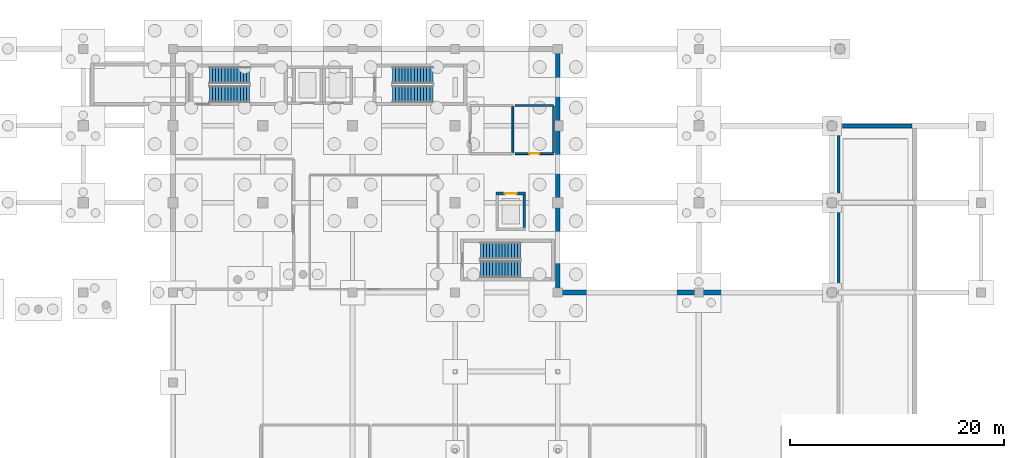
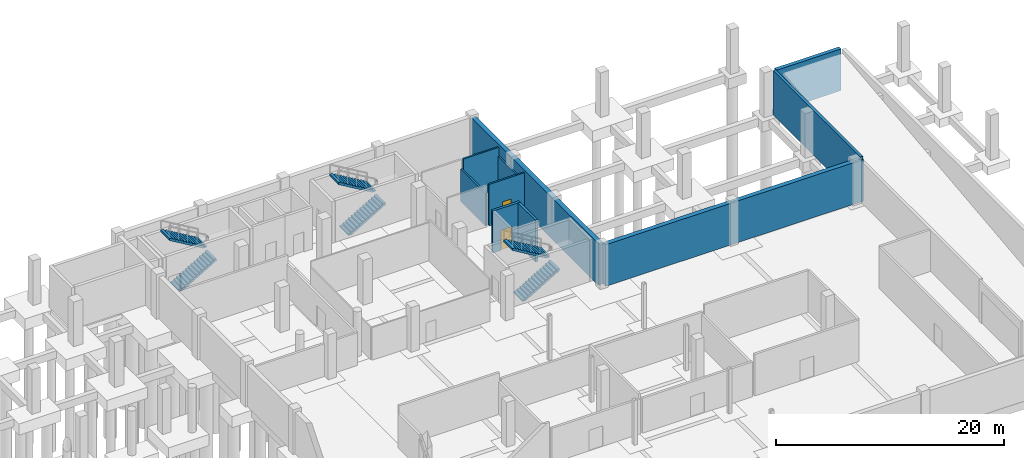
# One storey, part 38 of 44: 10 walls, 6 stair flights, 2 doors, 2 openings, 3 elements without a shape of their own.
"""IFC4 building model written with IfcOpenShell, lengths in metres."""

from ifc_helpers import new_model, si_unit, direction, frame, frame_2d, origin, place, context, subcontext, project, spatial, polyline, rectangle, outline, extrude, material, layer, layer_set, type_object, element, fill, aggregate, save


model = new_model("IFC4")

# Units and contexts
model_context = context("Model", 3, precision=1e-05, world=origin(), true_north=direction((0.0, 1.0)))
body_context = subcontext(model_context, "Body", "Model", "MODEL_VIEW")
ifc_project = project(units=[si_unit("LENGTHUNIT", "METRE"), si_unit("AREAUNIT", "SQUARE_METRE"), si_unit("VOLUMEUNIT", "CUBIC_METRE"), si_unit("PLANEANGLEUNIT", "RADIAN"), si_unit("MASSUNIT", "GRAM", prefix="KILO")], contexts=[model_context])

# Site, building, storey
site_placement = place(None, origin())
site = spatial("IfcSite", under=ifc_project, at=site_placement, CompositionType="ELEMENT")
building_placement = place(site_placement, origin())
building = spatial("IfcBuilding", under=site, at=building_placement, Name="Kisaragi Civic Commons", CompositionType="ELEMENT")
storey_placement = place(building_placement, frame((0.0, 0.0, -4.800048828125)))
storey = spatial("IfcBuildingStorey", under=building, at=storey_placement, Name="B1", CompositionType="ELEMENT", Elevation=-4.800048828125)

# Walls
ifc_material_1 = material(Name="Cementitious tile-backer board on galvanized steel studs", Category="steel")
ifc_layer_1 = layer(ifc_material_1, 0.16796875, Name="Cementitious tile-backer board on galvanized steel studs", Category="steel")
ifc_layer_set_1 = layer_set([ifc_layer_1], Name="Cementitious tile-backer board on galvanized steel studs")
wall_type_1 = type_object("IfcWallType", Name="IW-03", PredefinedType="STANDARD", material=ifc_layer_set_1)
for number, where, z_axis, x_axis, name in (
    (1, (129.0, 113.425048828125, 0.0), (0.0, 0.0, 1.0), (0.0, -1.0, 0.0), "B1 B1-05 partition IW-03 8"),
    (2, (132.800048828125, 113.425048828125, 0.0), (0.0, 0.0, 1.0), (0.0, -1.0, 0.0), "B1 B1-06 partition IW-03 12"),
):
    element("IfcWall", number, at=place(storey_placement, frame(where, z_axis=z_axis, x_axis=x_axis)), inside=storey, type_object=wall_type_1, Name=name, PredefinedType="STANDARD", context=body_context, shape_type="SweptSolid", body=[
        extrude(rectangle(XDim=4.35009765625, YDim=0.16796875, at=frame_2d((2.175048828125, 0.0))), origin(), (0.0, 0.0, 1.0), 3.5),
    ])

# Wall, opening, door
wall_1_placement = place(storey_placement, frame((132.794921875, 109.0, 0.0), z_axis=(0.0, 0.0, 1.0), x_axis=(-1.0, 0.0, 0.0)))
wall_1 = element("IfcWall", 3, at=wall_1_placement, inside=storey, type_object=wall_type_1, Name="B1 B1-06 partition IW-03 13", PredefinedType="STANDARD", context=body_context, shape_type="SweptSolid", body=[
    extrude(rectangle(XDim=3.58984375, YDim=0.16796875, at=frame_2d((1.794921875, 0.0))), origin(), (0.0, 0.0, 1.0), 4.449951171875),
])
opening_1_placement = place(wall_1_placement, frame((1.344970703125, 0.0, 0.0)))
opening_1 = element("IfcOpeningElement", 4, at=opening_1_placement, cuts=wall_1, Name="Opening ID-02", PredefinedType="OPENING", context=body_context, shape_type="SweptSolid", body=[
    extrude(rectangle(XDim=0.89990234375, YDim=2.10009765625, at=frame_2d((0.449951171875, 1.050048828125))), frame((0.0, 0.093994140625, 0.0), z_axis=(0.0, -1.0, 0.0), x_axis=(1.0, 0.0, 0.0)), (0.0, 0.0, 1.0), 0.18798828125),
])
ifc_material_2 = material(Name="Solid-core Japanese ash acoustic flush timber leaf in steel frame", Category="steel")
door_type_1 = type_object("IfcDoorType", Name="ID-02", OperationType="NOTDEFINED", PredefinedType="DOOR", material=ifc_material_2)
door_1_placement = place(opening_1_placement, origin())
door_1 = element("IfcDoor", 5, at=door_1_placement, inside=storey, type_object=door_type_1, Name="B1 Staff WC door ID-02", OperationType="SINGLE_SWING_LEFT", OverallHeight=2.10009765625, OverallWidth=0.89990234375, PredefinedType="DOOR", context=body_context, shape_type="SweptSolid", body=[
    extrude(rectangle(XDim=0.89990234375, YDim=2.10009765625, at=frame_2d((0.449951171875, 1.050048828125))), frame((0.0, 0.02490234375, 0.0), z_axis=(0.0, -1.0, 0.0), x_axis=(1.0, 0.0, 0.0)), (0.0, 0.0, 1.0), 0.050048828125),
])
fill(opening_1, door_1)

# Walls
wall_2_placement = place(storey_placement, frame((129.205078125, 113.5, 0.0), z_axis=(0.0, 0.0, 1.0), x_axis=(1.0, 0.0, 0.0)))
element("IfcWall", 6, at=wall_2_placement, inside=storey, type_object=wall_type_1, Name="B1 B1-06 partition IW-03 14", PredefinedType="STANDARD", context=body_context, shape_type="SweptSolid", body=[
    extrude(rectangle(XDim=3.58984375, YDim=0.16796875, at=frame_2d((1.794921875, 0.0))), origin(), (0.0, 0.0, 1.0), 4.449951171875),
])
ifc_material_3 = material(Name="Concrete Fc30", Category="concrete")
ifc_layer_2 = layer(ifc_material_3, 0.449951171875, Name="Concrete Fc30", Category="concrete")
ifc_layer_set_2 = layer_set([ifc_layer_2], Name="Concrete Fc30")
wall_type_2 = type_object("IfcWallType", Name="RW-01", PredefinedType="USERDEFINED", material=ifc_layer_set_2)
wall_3_placement = place(storey_placement, frame((133.199951171875, 118.56005859375, 0.0), z_axis=(0.0, 0.0, 1.0), x_axis=(0.0, -1.0, 0.0)))
element("IfcWall", 7, at=wall_3_placement, inside=storey, type_object=wall_type_2, Name="B1 retaining wall RW-01 2", ObjectType="RETAININGWALL", PredefinedType="USERDEFINED", context=body_context, shape_type="SweptSolid", body=[
    extrude(rectangle(XDim=22.320068359375, YDim=0.449951171875, at=frame_2d((11.16015625, 0.0))), origin(), (0.0, 0.0, 1.0), 4.469970703125),
])
wall_4_placement = place(storey_placement, frame((133.43994140625, 96.0, 0.0), z_axis=(0.0, 0.0, 1.0), x_axis=(1.0, 0.0, 0.0)))
element("IfcWall", 8, at=wall_4_placement, inside=storey, type_object=wall_type_2, Name="B1 retaining wall RW-01 3", ObjectType="RETAININGWALL", PredefinedType="USERDEFINED", context=body_context, shape_type="SweptSolid", body=[
    extrude(rectangle(XDim=26.16015625, YDim=0.449951171875, at=frame_2d((13.080078125, 0.0))), origin(), (0.0, 0.0, 1.0), 4.469970703125),
])
ifc_layer_3 = layer(ifc_material_3, 0.3798828125, Name="Concrete Fc30", Category="concrete")
ifc_layer_set_3 = layer_set([ifc_layer_3], Name="Concrete Fc30")
wall_type_3 = type_object("IfcWallType", Name="RW-02", PredefinedType="USERDEFINED", material=ifc_layer_set_3)
wall_5_placement = place(storey_placement, frame((159.840087890625, 111.60009765625, 0.0), z_axis=(0.0, 0.0, 1.0), x_axis=(1.0, 0.0, 0.0)))
element("IfcWall", 9, at=wall_5_placement, inside=storey, type_object=wall_type_3, Name="B1 retaining wall RW-02 5", ObjectType="RETAININGWALL", PredefinedType="USERDEFINED", context=body_context, shape_type="SweptSolid", body=[
    extrude(rectangle(XDim=6.52001953125, YDim=0.3798828125, at=frame_2d((3.260009765625, 0.0))), origin(), (0.0, 0.0, 1.0), 4.469970703125),
])

# Wall, opening, door
ifc_material_4 = material(Name="Concrete Fc36", Category="concrete")
ifc_layer_4 = layer(ifc_material_4, 0.25, Name="Concrete Fc36", Category="concrete")
ifc_layer_set_4 = layer_set([ifc_layer_4], Name="Concrete Fc36")
wall_type_4 = type_object("IfcWallType", Name="SW-02", PredefinedType="SHEAR", material=ifc_layer_set_4)
wall_6_placement = place(storey_placement, frame((127.39990234375, 105.27490234375, 0.0), z_axis=(0.0, 0.0, 1.0), x_axis=(1.0, 0.0, 0.0)))
wall_6 = element("IfcWall", 10, at=wall_6_placement, inside=storey, type_object=wall_type_4, Name="EL-L3 B1 north lift shaft wall", PredefinedType="SHEAR", context=body_context, shape_type="SweptSolid", body=[
    extrude(rectangle(XDim=2.800048828125, YDim=0.25, at=frame_2d((1.39990234375, 0.0))), origin(), (0.0, 0.0, 1.0), 4.5),
])
opening_2_placement = place(wall_6_placement, frame((0.85009765625, 0.0, 0.0)))
opening_2 = element("IfcOpeningElement", 11, at=opening_2_placement, cuts=wall_6, Name="Opening LD-01", PredefinedType="OPENING", context=body_context, shape_type="SweptSolid", body=[
    extrude(rectangle(XDim=1.10009765625, YDim=2.14990234375, at=frame_2d((0.550048828125, 1.074951171875))), frame((0.0, 0.135009765625, 0.0), z_axis=(0.0, -1.0, 0.0), x_axis=(1.0, 0.0, 0.0)), (0.0, 0.0, 1.0), 0.27001953125),
])
ifc_material_5 = material(Name="Brushed stainless steel bi-parting landing door", Category="steel")
door_type_2 = type_object("IfcDoorType", Name="LD-01", OperationType="NOTDEFINED", PredefinedType="DOOR", material=ifc_material_5)
door_2_placement = place(opening_2_placement, origin())
door_2 = element("IfcDoor", 12, at=door_2_placement, inside=storey, type_object=door_type_2, Name="EL-L3 B1 sliding lift landing door", OperationType="DOUBLE_DOOR_SLIDING", OverallHeight=2.14990234375, OverallWidth=1.10009765625, PredefinedType="DOOR", context=body_context, shape_type="SweptSolid", body=[
    extrude(rectangle(XDim=1.10009765625, YDim=2.14990234375, at=frame_2d((0.550048828125, 1.074951171875))), frame((0.0, 0.02490234375, 0.0), z_axis=(0.0, -1.0, 0.0), x_axis=(1.0, 0.0, 0.0)), (0.0, 0.0, 1.0), 0.050048828125),
])
fill(opening_2, door_2)

# Walls
wall_7_placement = place(storey_placement, frame((130.074951171875, 105.1298828125, 0.0), z_axis=(0.0, 0.0, 1.0), x_axis=(0.0, -1.0, 0.0)))
element("IfcWall", 13, at=wall_7_placement, inside=storey, type_object=wall_type_4, Name="EL-L3 B1 east lift shaft wall", PredefinedType="SHEAR", context=body_context, shape_type="SweptSolid", body=[
    extrude(rectangle(XDim=3.059814453125, YDim=0.25, at=frame_2d((1.52978515625, 0.0))), origin(), (0.0, 0.0, 1.0), 4.5),
])
ifc_layer_5 = layer(ifc_material_3, 0.280029296875, Name="Concrete Fc30", Category="concrete")
ifc_layer_set_5 = layer_set([ifc_layer_5], Name="Concrete Fc30")
wall_type_5 = type_object("IfcWallType", Name="SW-03", PredefinedType="SHEAR", material=ifc_layer_set_5)
wall_8_placement = place(storey_placement, frame((159.4599609375, 95.85009765625, 0.0), z_axis=(0.0, 0.0, 1.0), x_axis=(0.0, 1.0, 0.0)))
element("IfcWall", 14, at=wall_8_placement, inside=storey, type_object=wall_type_5, Name="B1 vehicle ramp north-west cheek shear wall", PredefinedType="SHEAR", context=body_context, shape_type="SweptSolid", body=[
    extrude(rectangle(XDim=15.2998046875, YDim=0.280029296875, at=frame_2d((7.64990234375, 0.0))), origin(), (0.0, 0.0, 1.0), 4.780029296875),
])

# Stair, stair flights
stair_type = type_object("IfcStairType", Name="ST-A", PredefinedType="HALF_TURN_STAIR", material=ifc_material_3)
stair_1_placement = place(storey_placement, origin())
stair_1 = element("IfcStair", 15, at=stair_1_placement, inside=storey, type_object=stair_type, Name="B1 Stair ST-L1", PredefinedType="HALF_TURN_STAIR")
stair_flight_type = type_object("IfcStairFlightType", Name="STF-A", PredefinedType="STRAIGHT", material=ifc_material_3)
stair_flight_1_placement = place(storey_placement, frame((100.60009765625, 114.574951171875, 0.0), z_axis=(0.0, 0.0, 1.0), x_axis=(1.0, 0.0, 0.0)))
stair_flight_1 = element("IfcStairFlight", 16, at=stair_flight_1_placement, type_object=stair_flight_type, Name="ST-L1 flight 1", NumberOfRisers=14, NumberOfTreads=13, PredefinedType="STRAIGHT", RiserHeight=0.171428571, TreadLength=0.29, context=body_context, shape_type="SweptSolid", body=[
    extrude(outline(polyline([(0.0, 0.0), (0.0, 0.17138671875), (0.2900390625, 0.17138671875), (0.2900390625, 0.3427734375), (0.580078125, 0.3427734375), (0.580078125, 0.514404296875), (0.8701171875, 0.514404296875), (0.8701171875, 0.685791015625), (1.159912109375, 0.685791015625), (1.159912109375, 0.857177734375), (1.449951171875, 0.857177734375), (1.449951171875, 1.028564453125), (1.739990234375, 1.028564453125), (1.739990234375, 1.199951171875), (2.030029296875, 1.199951171875), (2.030029296875, 1.371337890625), (2.320068359375, 1.371337890625), (2.320068359375, 1.54296875), (2.610107421875, 1.54296875), (2.610107421875, 1.71435546875), (2.89990234375, 1.71435546875), (2.89990234375, 1.8857421875), (3.18994140625, 1.8857421875), (3.18994140625, 2.05712890625), (3.47998046875, 2.05712890625), (3.47998046875, 2.228515625), (3.77001953125, 2.228515625), (3.77001953125, 2.39990234375), (3.77001953125, 2.01953125), (0.353515625, 0.0), (0.0, 0.0)])), frame((0.0, 0.77490234375, 0.0), z_axis=(0.0, -1.0, 0.0), x_axis=(1.0, 0.0, 0.0)), (0.0, 0.0, 1.0), 1.550048828125),
])
stair_flight_2_placement = place(storey_placement, frame((104.3701171875, 116.324951171875, 2.400146484375), z_axis=(0.0, 0.0, 1.0), x_axis=(-1.0, 0.0, 0.0)))
stair_flight_2 = element("IfcStairFlight", 17, at=stair_flight_2_placement, type_object=stair_flight_type, Name="ST-L1 flight 2", NumberOfRisers=14, NumberOfTreads=13, PredefinedType="STRAIGHT", RiserHeight=0.171428571, TreadLength=0.29, context=body_context, shape_type="SweptSolid", body=[
    extrude(outline(polyline([(0.0, 0.0), (0.0, 0.17138671875), (0.2900390625, 0.17138671875), (0.2900390625, 0.3427734375), (0.580078125, 0.3427734375), (0.580078125, 0.514404296875), (0.8701171875, 0.514404296875), (0.8701171875, 0.685791015625), (1.159912109375, 0.685791015625), (1.159912109375, 0.857177734375), (1.449951171875, 0.857177734375), (1.449951171875, 1.028564453125), (1.739990234375, 1.028564453125), (1.739990234375, 1.199951171875), (2.030029296875, 1.199951171875), (2.030029296875, 1.371337890625), (2.320068359375, 1.371337890625), (2.320068359375, 1.54296875), (2.610107421875, 1.54296875), (2.610107421875, 1.71435546875), (2.89990234375, 1.71435546875), (2.89990234375, 1.8857421875), (3.18994140625, 1.8857421875), (3.18994140625, 2.05712890625), (3.47998046875, 2.05712890625), (3.47998046875, 2.228515625), (3.77001953125, 2.228515625), (3.77001953125, 2.39990234375), (3.77001953125, 2.01953125), (0.353515625, 0.0), (0.0, 0.0)])), frame((0.0, 0.77490234375, 0.0), z_axis=(0.0, -1.0, 0.0), x_axis=(1.0, 0.0, 0.0)), (0.0, 0.0, 1.0), 1.550048828125),
])
aggregate(stair_1, [stair_flight_1, stair_flight_2])

stair_2_placement = place(storey_placement, origin())
stair_2 = element("IfcStair", 18, at=stair_2_placement, inside=storey, type_object=stair_type, Name="B1 Stair ST-L2", PredefinedType="HALF_TURN_STAIR")
stair_flight_3_placement = place(storey_placement, frame((117.75, 114.574951171875, 0.0), z_axis=(0.0, 0.0, 1.0), x_axis=(1.0, 0.0, 0.0)))
stair_flight_3 = element("IfcStairFlight", 19, at=stair_flight_3_placement, type_object=stair_flight_type, Name="ST-L2 flight 1", NumberOfRisers=14, NumberOfTreads=13, PredefinedType="STRAIGHT", RiserHeight=0.171428571, TreadLength=0.29, context=body_context, shape_type="SweptSolid", body=[
    extrude(outline(polyline([(0.0, 0.0), (0.0, 0.17138671875), (0.2900390625, 0.17138671875), (0.2900390625, 0.3427734375), (0.580078125, 0.3427734375), (0.580078125, 0.514404296875), (0.8701171875, 0.514404296875), (0.8701171875, 0.685791015625), (1.159912109375, 0.685791015625), (1.159912109375, 0.857177734375), (1.449951171875, 0.857177734375), (1.449951171875, 1.028564453125), (1.739990234375, 1.028564453125), (1.739990234375, 1.199951171875), (2.030029296875, 1.199951171875), (2.030029296875, 1.371337890625), (2.320068359375, 1.371337890625), (2.320068359375, 1.54296875), (2.610107421875, 1.54296875), (2.610107421875, 1.71435546875), (2.89990234375, 1.71435546875), (2.89990234375, 1.8857421875), (3.18994140625, 1.8857421875), (3.18994140625, 2.05712890625), (3.47998046875, 2.05712890625), (3.47998046875, 2.228515625), (3.77001953125, 2.228515625), (3.77001953125, 2.39990234375), (3.77001953125, 2.01953125), (0.353515625, 0.0), (0.0, 0.0)])), frame((0.0, 0.77490234375, 0.0), z_axis=(0.0, -1.0, 0.0), x_axis=(1.0, 0.0, 0.0)), (0.0, 0.0, 1.0), 1.550048828125),
])
stair_flight_4_placement = place(storey_placement, frame((121.52001953125, 116.324951171875, 2.400146484375), z_axis=(0.0, 0.0, 1.0), x_axis=(-1.0, 0.0, 0.0)))
stair_flight_4 = element("IfcStairFlight", 20, at=stair_flight_4_placement, type_object=stair_flight_type, Name="ST-L2 flight 2", NumberOfRisers=14, NumberOfTreads=13, PredefinedType="STRAIGHT", RiserHeight=0.171428571, TreadLength=0.29, context=body_context, shape_type="SweptSolid", body=[
    extrude(outline(polyline([(0.0, 0.0), (0.0, 0.17138671875), (0.2900390625, 0.17138671875), (0.2900390625, 0.3427734375), (0.580078125, 0.3427734375), (0.580078125, 0.514404296875), (0.8701171875, 0.514404296875), (0.8701171875, 0.685791015625), (1.159912109375, 0.685791015625), (1.159912109375, 0.857177734375), (1.449951171875, 0.857177734375), (1.449951171875, 1.028564453125), (1.739990234375, 1.028564453125), (1.739990234375, 1.199951171875), (2.030029296875, 1.199951171875), (2.030029296875, 1.371337890625), (2.320068359375, 1.371337890625), (2.320068359375, 1.54296875), (2.610107421875, 1.54296875), (2.610107421875, 1.71435546875), (2.89990234375, 1.71435546875), (2.89990234375, 1.8857421875), (3.18994140625, 1.8857421875), (3.18994140625, 2.05712890625), (3.47998046875, 2.05712890625), (3.47998046875, 2.228515625), (3.77001953125, 2.228515625), (3.77001953125, 2.39990234375), (3.77001953125, 2.01953125), (0.353515625, 0.0), (0.0, 0.0)])), frame((0.0, 0.77490234375, 0.0), z_axis=(0.0, -1.0, 0.0), x_axis=(1.0, 0.0, 0.0)), (0.0, 0.0, 1.0), 1.550048828125),
])
aggregate(stair_2, [stair_flight_3, stair_flight_4])

stair_3_placement = place(storey_placement, origin())
stair_3 = element("IfcStair", 21, at=stair_3_placement, inside=storey, type_object=stair_type, Name="B1 Stair ST-L3", PredefinedType="HALF_TURN_STAIR")
stair_flight_5_placement = place(storey_placement, frame((125.949951171875, 98.175048828125, 0.0), z_axis=(0.0, 0.0, 1.0), x_axis=(1.0, 0.0, 0.0)))
stair_flight_5 = element("IfcStairFlight", 22, at=stair_flight_5_placement, type_object=stair_flight_type, Name="ST-L3 flight 1", NumberOfRisers=14, NumberOfTreads=13, PredefinedType="STRAIGHT", RiserHeight=0.171428571, TreadLength=0.29, context=body_context, shape_type="SweptSolid", body=[
    extrude(outline(polyline([(0.0, 0.0), (0.0, 0.17138671875), (0.2900390625, 0.17138671875), (0.2900390625, 0.3427734375), (0.580078125, 0.3427734375), (0.580078125, 0.514404296875), (0.8701171875, 0.514404296875), (0.8701171875, 0.685791015625), (1.159912109375, 0.685791015625), (1.159912109375, 0.857177734375), (1.449951171875, 0.857177734375), (1.449951171875, 1.028564453125), (1.739990234375, 1.028564453125), (1.739990234375, 1.199951171875), (2.030029296875, 1.199951171875), (2.030029296875, 1.371337890625), (2.320068359375, 1.371337890625), (2.320068359375, 1.54296875), (2.610107421875, 1.54296875), (2.610107421875, 1.71435546875), (2.89990234375, 1.71435546875), (2.89990234375, 1.8857421875), (3.18994140625, 1.8857421875), (3.18994140625, 2.05712890625), (3.47998046875, 2.05712890625), (3.47998046875, 2.228515625), (3.77001953125, 2.228515625), (3.77001953125, 2.39990234375), (3.77001953125, 2.01953125), (0.353515625, 0.0), (0.0, 0.0)])), frame((0.0, 0.77490234375, 0.0), z_axis=(0.0, -1.0, 0.0), x_axis=(1.0, 0.0, 0.0)), (0.0, 0.0, 1.0), 1.550048828125),
])
stair_flight_6_placement = place(storey_placement, frame((129.719970703125, 99.925048828125, 2.400146484375), z_axis=(0.0, 0.0, 1.0), x_axis=(-1.0, 0.0, 0.0)))
stair_flight_6 = element("IfcStairFlight", 23, at=stair_flight_6_placement, type_object=stair_flight_type, Name="ST-L3 flight 2", NumberOfRisers=14, NumberOfTreads=13, PredefinedType="STRAIGHT", RiserHeight=0.171428571, TreadLength=0.29, context=body_context, shape_type="SweptSolid", body=[
    extrude(outline(polyline([(0.0, 0.0), (0.0, 0.17138671875), (0.2900390625, 0.17138671875), (0.2900390625, 0.3427734375), (0.580078125, 0.3427734375), (0.580078125, 0.514404296875), (0.8701171875, 0.514404296875), (0.8701171875, 0.685791015625), (1.159912109375, 0.685791015625), (1.159912109375, 0.857177734375), (1.449951171875, 0.857177734375), (1.449951171875, 1.028564453125), (1.739990234375, 1.028564453125), (1.739990234375, 1.199951171875), (2.030029296875, 1.199951171875), (2.030029296875, 1.371337890625), (2.320068359375, 1.371337890625), (2.320068359375, 1.54296875), (2.610107421875, 1.54296875), (2.610107421875, 1.71435546875), (2.89990234375, 1.71435546875), (2.89990234375, 1.8857421875), (3.18994140625, 1.8857421875), (3.18994140625, 2.05712890625), (3.47998046875, 2.05712890625), (3.47998046875, 2.228515625), (3.77001953125, 2.228515625), (3.77001953125, 2.39990234375), (3.77001953125, 2.01953125), (0.353515625, 0.0), (0.0, 0.0)])), frame((0.0, 0.77490234375, 0.0), z_axis=(0.0, -1.0, 0.0), x_axis=(1.0, 0.0, 0.0)), (0.0, 0.0, 1.0), 1.550048828125),
])
aggregate(stair_3, [stair_flight_5, stair_flight_6])

save(model, "model.ifc")
